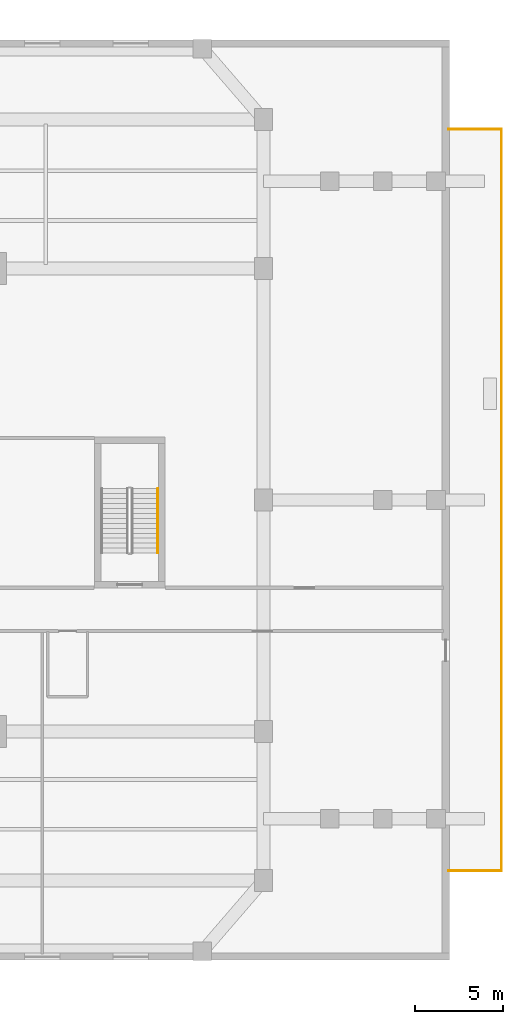
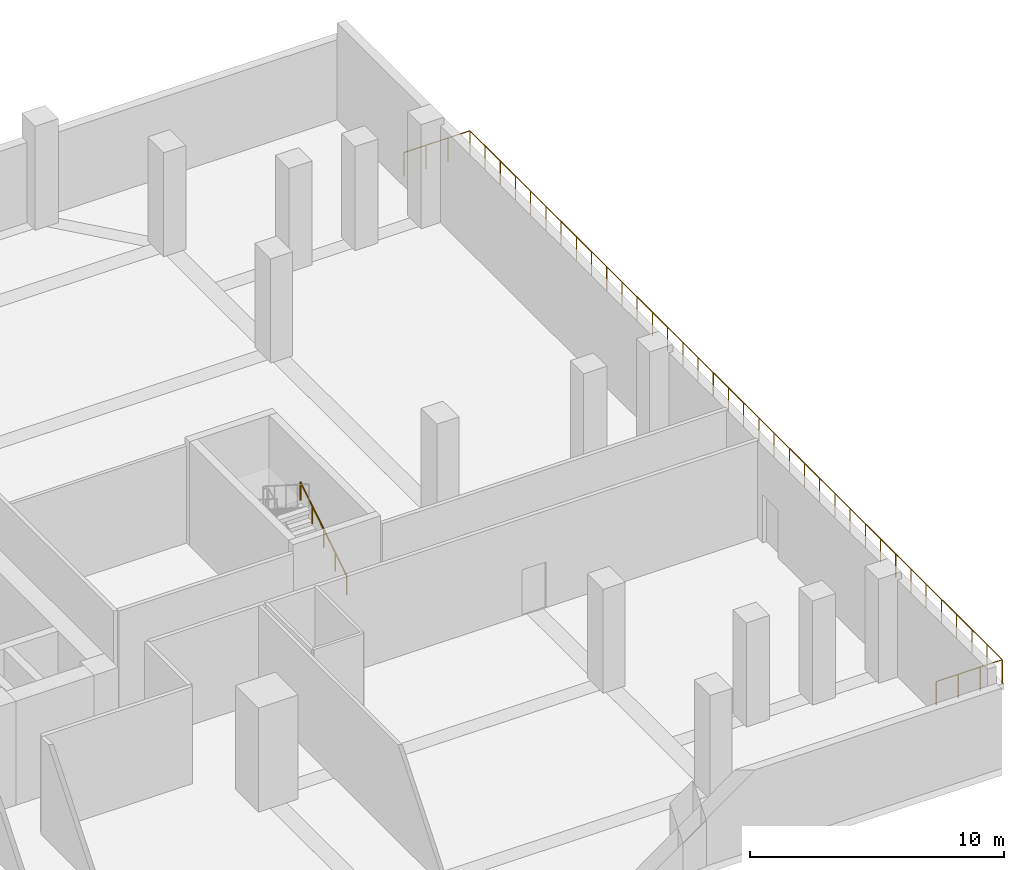
# One storey, part 17 of 17: 4 railings.
"""IFC4 building model written with IfcOpenShell, lengths in metres."""

from ifc_helpers import new_model, si_unit, direction, frame, origin, origin_2d, place, context, subcontext, project, spatial, circle, extrude, source, transform, mapped, material, type_object, element, save


model = new_model("IFC4")

# Units and contexts
model_context = context("Model", 3, precision=1e-05, world=origin(), true_north=direction((0.0, 1.0)))
body_context = subcontext(model_context, "Body", "Model", "MODEL_VIEW")
ifc_project = project(units=[si_unit("LENGTHUNIT", "METRE"), si_unit("AREAUNIT", "SQUARE_METRE"), si_unit("VOLUMEUNIT", "CUBIC_METRE"), si_unit("PLANEANGLEUNIT", "RADIAN"), si_unit("MASSUNIT", "GRAM", prefix="KILO"), si_unit("THERMODYNAMICTEMPERATUREUNIT", "KELVIN")], contexts=[model_context])

# Site, building, storey
site_placement = place(None, origin())
site = spatial("IfcSite", under=ifc_project, at=site_placement, CompositionType="ELEMENT")
building_placement = place(site_placement, origin())
building = spatial("IfcBuilding", under=site, at=building_placement, Name="Kosmvard Interchange Tower", CompositionType="ELEMENT")
storey_placement = place(building_placement, frame((0.0, 0.0, 6.0)))
storey = spatial("IfcBuildingStorey", under=building, at=storey_placement, Name="L01", CompositionType="ELEMENT", Elevation=6.0)

# Railings
ifc_material = material(Name="Steel S355", Category="steel")
railing_type_1 = type_object("IfcRailingType", Name="Observation & Balcony Glass-Infill Balustrade 1150", PredefinedType="BALUSTRADE", material=ifc_material)
shared_shape_1 = source(origin(), body_context, "Body", "SweptSolid", [
    extrude(circle(Radius=0.02392578125, at=origin_2d()), frame((0.0, 0.0, 1.1259765625), z_axis=(-1.0, 0.0, 0.0), x_axis=(0.0, -1.0, 0.0)), (0.0, 0.0, 1.0), 3.0),
    extrude(circle(Radius=0.02099609375, at=origin_2d()), origin(), (0.0, 0.0, 1.0), 1.101806640625),
    extrude(circle(Radius=0.02099609375, at=origin_2d()), frame((-1.0, 0.0, 0.0)), (0.0, 0.0, 1.0), 1.101806640625),
    extrude(circle(Radius=0.02099609375, at=origin_2d()), frame((-2.0, 0.0, 0.0)), (0.0, 0.0, 1.0), 1.101806640625),
    extrude(circle(Radius=0.02099609375, at=origin_2d()), frame((-3.0, 0.0, 0.0)), (0.0, 0.0, 1.0), 1.101806640625),
])
railing_1_placement = place(storey_placement, frame((41.949951171875, 20.949951171875, 0.0)))
element("IfcRailing", 1, at=railing_1_placement, inside=storey, type_object=railing_type_1, Name="L01 Outdoor Terrace Guard TER-L01-E-C", PredefinedType="BALUSTRADE", context=body_context, shape_type="MappedRepresentation", body=[
    mapped(shared_shape_1, transform((0.0, 0.0, 0.0), scale=1.0)),
])
shared_shape_2 = source(origin(), body_context, "Body", "SweptSolid", [
    extrude(circle(Radius=0.02392578125, at=origin_2d()), frame((0.0, 0.0, 1.1259765625), z_axis=(0.0, 1.0, 0.0), x_axis=(-1.0, 0.0, 0.0)), (0.0, 0.0, 1.0), 41.89990234375),
    extrude(circle(Radius=0.02099609375, at=origin_2d()), origin(), (0.0, 0.0, 1.0), 1.101806640625),
    extrude(circle(Radius=0.02099609375, at=origin_2d()), frame((0.0, 1.197021484375, 0.0)), (0.0, 0.0, 1.0), 1.101806640625),
    extrude(circle(Radius=0.02099609375, at=origin_2d()), frame((0.0, 2.394287109375, 0.0)), (0.0, 0.0, 1.0), 1.101806640625),
    extrude(circle(Radius=0.02099609375, at=origin_2d()), frame((0.0, 3.59130859375, 0.0)), (0.0, 0.0, 1.0), 1.101806640625),
    extrude(circle(Radius=0.02099609375, at=origin_2d()), frame((0.0, 4.78857421875, 0.0)), (0.0, 0.0, 1.0), 1.101806640625),
    extrude(circle(Radius=0.02099609375, at=origin_2d()), frame((0.0, 5.985595703125, 0.0)), (0.0, 0.0, 1.0), 1.101806640625),
    extrude(circle(Radius=0.02099609375, at=origin_2d()), frame((0.0, 7.182861328125, 0.0)), (0.0, 0.0, 1.0), 1.101806640625),
    extrude(circle(Radius=0.02099609375, at=origin_2d()), frame((0.0, 8.3798828125, 0.0)), (0.0, 0.0, 1.0), 1.101806640625),
    extrude(circle(Radius=0.02099609375, at=origin_2d()), frame((0.0, 9.5771484375, 0.0)), (0.0, 0.0, 1.0), 1.101806640625),
    extrude(circle(Radius=0.02099609375, at=origin_2d()), frame((0.0, 10.774169921875, 0.0)), (0.0, 0.0, 1.0), 1.101806640625),
    extrude(circle(Radius=0.02099609375, at=origin_2d()), frame((0.0, 11.971435546875, 0.0)), (0.0, 0.0, 1.0), 1.101806640625),
    extrude(circle(Radius=0.02099609375, at=origin_2d()), frame((0.0, 13.16845703125, 0.0)), (0.0, 0.0, 1.0), 1.101806640625),
    extrude(circle(Radius=0.02099609375, at=origin_2d()), frame((0.0, 14.36572265625, 0.0)), (0.0, 0.0, 1.0), 1.101806640625),
    extrude(circle(Radius=0.02099609375, at=origin_2d()), frame((0.0, 15.562744140625, 0.0)), (0.0, 0.0, 1.0), 1.101806640625),
    extrude(circle(Radius=0.02099609375, at=origin_2d()), frame((0.0, 16.760009765625, 0.0)), (0.0, 0.0, 1.0), 1.101806640625),
    extrude(circle(Radius=0.02099609375, at=origin_2d()), frame((0.0, 17.95703125, 0.0)), (0.0, 0.0, 1.0), 1.101806640625),
    extrude(circle(Radius=0.02099609375, at=origin_2d()), frame((0.0, 19.154296875, 0.0)), (0.0, 0.0, 1.0), 1.101806640625),
    extrude(circle(Radius=0.02099609375, at=origin_2d()), frame((0.0, 20.351318359375, 0.0)), (0.0, 0.0, 1.0), 1.101806640625),
    extrude(circle(Radius=0.02099609375, at=origin_2d()), frame((0.0, 21.548583984375, 0.0)), (0.0, 0.0, 1.0), 1.101806640625),
    extrude(circle(Radius=0.02099609375, at=origin_2d()), frame((0.0, 22.74560546875, 0.0)), (0.0, 0.0, 1.0), 1.101806640625),
    extrude(circle(Radius=0.02099609375, at=origin_2d()), frame((0.0, 23.94287109375, 0.0)), (0.0, 0.0, 1.0), 1.101806640625),
    extrude(circle(Radius=0.02099609375, at=origin_2d()), frame((0.0, 25.139892578125, 0.0)), (0.0, 0.0, 1.0), 1.101806640625),
    extrude(circle(Radius=0.02099609375, at=origin_2d()), frame((0.0, 26.337158203125, 0.0)), (0.0, 0.0, 1.0), 1.101806640625),
    extrude(circle(Radius=0.02099609375, at=origin_2d()), frame((0.0, 27.5341796875, 0.0)), (0.0, 0.0, 1.0), 1.101806640625),
    extrude(circle(Radius=0.02099609375, at=origin_2d()), frame((0.0, 28.7314453125, 0.0)), (0.0, 0.0, 1.0), 1.101806640625),
    extrude(circle(Radius=0.02099609375, at=origin_2d()), frame((0.0, 29.928466796875, 0.0)), (0.0, 0.0, 1.0), 1.101806640625),
    extrude(circle(Radius=0.02099609375, at=origin_2d()), frame((0.0, 31.125732421875, 0.0)), (0.0, 0.0, 1.0), 1.101806640625),
    extrude(circle(Radius=0.02099609375, at=origin_2d()), frame((0.0, 32.32275390625, 0.0)), (0.0, 0.0, 1.0), 1.101806640625),
    extrude(circle(Radius=0.02099609375, at=origin_2d()), frame((0.0, 33.52001953125, 0.0)), (0.0, 0.0, 1.0), 1.101806640625),
    extrude(circle(Radius=0.02099609375, at=origin_2d()), frame((0.0, 34.717041015625, 0.0)), (0.0, 0.0, 1.0), 1.101806640625),
    extrude(circle(Radius=0.02099609375, at=origin_2d()), frame((0.0, 35.914306640625, 0.0)), (0.0, 0.0, 1.0), 1.101806640625),
    extrude(circle(Radius=0.02099609375, at=origin_2d()), frame((0.0, 37.111328125, 0.0)), (0.0, 0.0, 1.0), 1.101806640625),
    extrude(circle(Radius=0.02099609375, at=origin_2d()), frame((0.0, 38.30859375, 0.0)), (0.0, 0.0, 1.0), 1.101806640625),
    extrude(circle(Radius=0.02099609375, at=origin_2d()), frame((0.0, 39.505615234375, 0.0)), (0.0, 0.0, 1.0), 1.101806640625),
    extrude(circle(Radius=0.02099609375, at=origin_2d()), frame((0.0, 40.702880859375, 0.0)), (0.0, 0.0, 1.0), 1.101806640625),
    extrude(circle(Radius=0.02099609375, at=origin_2d()), frame((0.0, 41.89990234375, 0.0)), (0.0, 0.0, 1.0), 1.101806640625),
])
railing_2_placement = place(storey_placement, frame((41.949951171875, -20.949951171875, 0.0)))
element("IfcRailing", 2, at=railing_2_placement, inside=storey, type_object=railing_type_1, Name="L01 Outdoor Terrace Guard TER-L01-E-B", PredefinedType="BALUSTRADE", context=body_context, shape_type="MappedRepresentation", body=[
    mapped(shared_shape_2, transform((0.0, 0.0, 0.0), scale=1.0)),
])
shared_shape_3 = source(origin(), body_context, "Body", "SweptSolid", [
    extrude(circle(Radius=0.02392578125, at=origin_2d()), frame((0.0, 0.0, 1.1259765625), z_axis=(1.0, 0.0, 0.0), x_axis=(0.0, 1.0, 0.0)), (0.0, 0.0, 1.0), 3.0),
    extrude(circle(Radius=0.02099609375, at=origin_2d()), origin(), (0.0, 0.0, 1.0), 1.101806640625),
    extrude(circle(Radius=0.02099609375, at=origin_2d()), frame((1.0, 0.0, 0.0)), (0.0, 0.0, 1.0), 1.101806640625),
    extrude(circle(Radius=0.02099609375, at=origin_2d()), frame((2.0, 0.0, 0.0)), (0.0, 0.0, 1.0), 1.101806640625),
    extrude(circle(Radius=0.02099609375, at=origin_2d()), frame((3.0, 0.0, 0.0)), (0.0, 0.0, 1.0), 1.101806640625),
])
railing_3_placement = place(storey_placement, frame((38.949951171875, -20.949951171875, 0.0)))
element("IfcRailing", 3, at=railing_3_placement, inside=storey, type_object=railing_type_1, Name="L01 Outdoor Terrace Guard TER-L01-E-A", PredefinedType="BALUSTRADE", context=body_context, shape_type="MappedRepresentation", body=[
    mapped(shared_shape_3, transform((0.0, 0.0, 0.0), scale=1.0)),
])
railing_type_2 = type_object("IfcRailingType", Name="Wall-Mounted Stair Handrail 900 Steel", PredefinedType="HANDRAIL", material=ifc_material)
shared_shape_4 = source(origin(), body_context, "Body", "SweptSolid", [
    extrude(circle(Radius=0.02392578125, at=origin_2d()), frame((0.0, 0.0, 0.8759765625), z_axis=(0.0, 0.843111507901, 0.53773877045), x_axis=(-1.0, 0.0, 0.0)), (0.0, 0.0, 1.0), 4.317138671875),
    extrude(circle(Radius=0.02099609375, at=origin_2d()), origin(), (0.0, 0.0, 1.0), 0.851806640625),
    extrude(circle(Radius=0.02099609375, at=origin_2d()), frame((0.0, 0.909912109375, 0.580322265625)), (0.0, 0.0, 1.0), 0.851806640625),
    extrude(circle(Radius=0.02099609375, at=origin_2d()), frame((0.0, 1.81982421875, 1.16064453125)), (0.0, 0.0, 1.0), 0.851806640625),
    extrude(circle(Radius=0.02099609375, at=origin_2d()), frame((0.0, 2.72998046875, 1.7412109375)), (0.0, 0.0, 1.0), 0.851806640625),
    extrude(circle(Radius=0.02099609375, at=origin_2d()), frame((0.0, 3.639892578125, 2.321533203125)), (0.0, 0.0, 1.0), 0.851806640625),
])
railing_4_placement = place(storey_placement, frame((22.530029296875, -3.0, 0.178466796875)))
element("IfcRailing", 4, at=railing_4_placement, inside=storey, type_object=railing_type_2, Name="L01 ST-4 stair handrail 1", PredefinedType="HANDRAIL", context=body_context, shape_type="MappedRepresentation", body=[
    mapped(shared_shape_4, transform((0.0, 0.0, 0.0), scale=1.0)),
])

save(model, "model.ifc")
